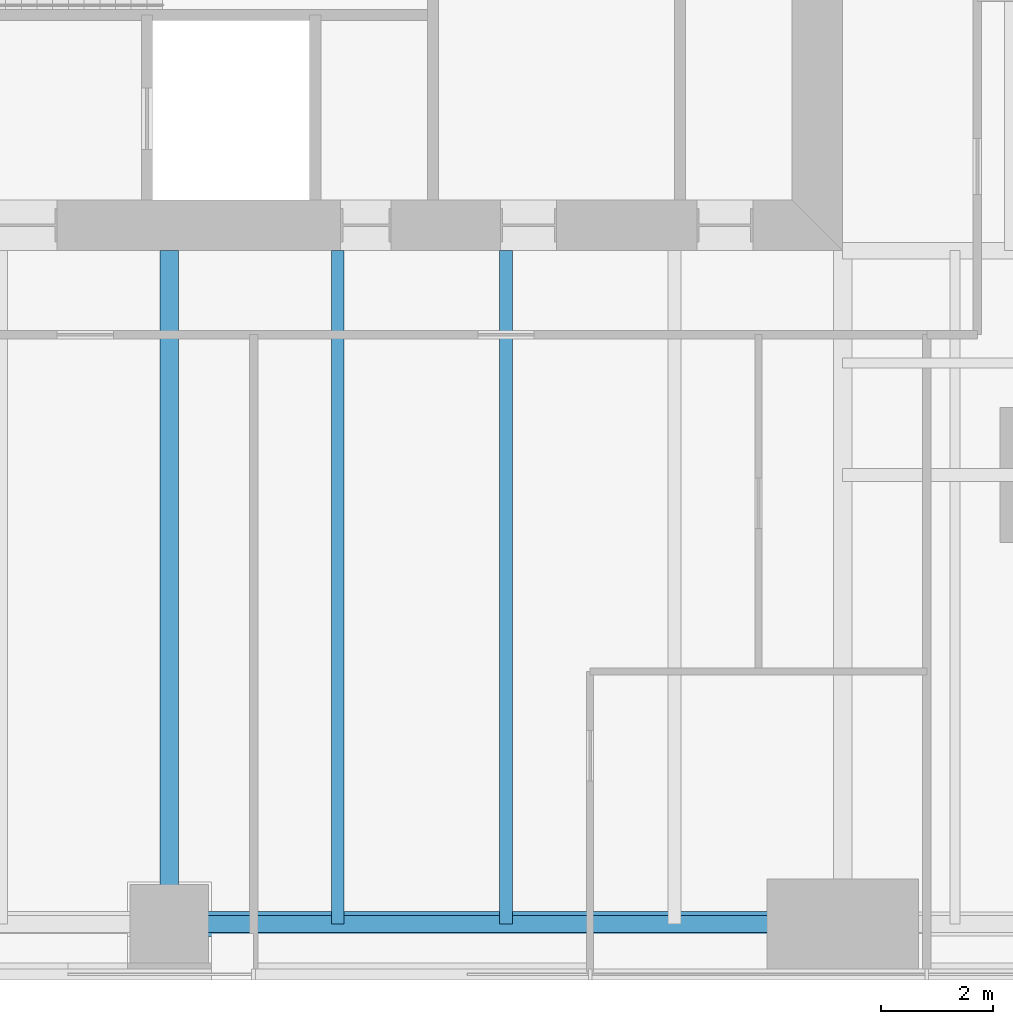
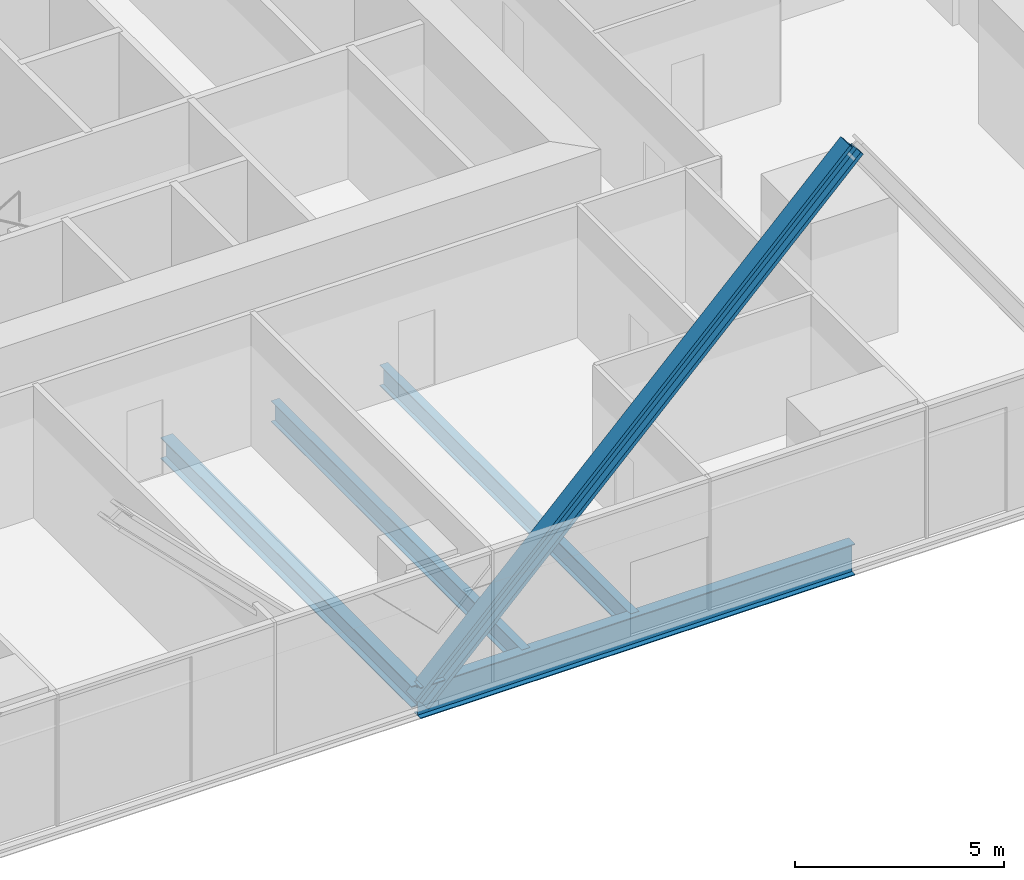
# One storey, part 3 of 13: 4 beams, 1 member.
"""IFC4 building model written with IfcOpenShell, lengths in metres."""

from ifc_helpers import new_model, si_unit, direction, frame, origin, origin_2d, place, context, subcontext, project, spatial, i_section, extrude, material, material_profile, profile_set, type_object, element, save


model = new_model("IFC4")

# Units and contexts
model_context = context("Model", 3, precision=1e-05, world=origin(), true_north=direction((0.0, 1.0)))
body_context = subcontext(model_context, "Body", "Model", "MODEL_VIEW")
ifc_project = project(units=[si_unit("LENGTHUNIT", "METRE"), si_unit("AREAUNIT", "SQUARE_METRE"), si_unit("VOLUMEUNIT", "CUBIC_METRE"), si_unit("PLANEANGLEUNIT", "RADIAN"), si_unit("MASSUNIT", "GRAM", prefix="KILO")], contexts=[model_context])

# Site, building, storey
site_placement = place(None, origin())
site = spatial("IfcSite", under=ifc_project, at=site_placement, CompositionType="ELEMENT")
building_placement = place(site_placement, origin())
building = spatial("IfcBuilding", under=site, at=building_placement, Name="Fenwick Lantern Interchange", CompositionType="ELEMENT")
storey_placement = place(building_placement, frame((0.0, 0.0, 67.0)))
storey = spatial("IfcBuildingStorey", under=building, at=storey_placement, Name="L15", CompositionType="ELEMENT", Elevation=67.0)

# Beam
ifc_material = material(Name="Steel ASTM A992 Grade 50", Category="steel")
ifc_material_profile_1 = material_profile(ifc_material, i_section(OverallWidth=0.3046875, OverallDepth=0.911865234375, WebThickness=0.015869140625, FlangeThickness=0.02392578125, at=origin_2d()), Name="W36X150")
ifc_profile_set_1 = profile_set([ifc_material_profile_1], Name="Steel ASTM A992 Grade 50")
beam_type_1 = type_object("IfcBeamType", Name="EDGE BEAM W36X150", PredefinedType="SPANDREL", material=ifc_profile_set_1)
beam_1_placement = place(storey_placement, frame((25.0, 1.0, -0.60595703125), z_axis=(1.0, 0.0, 0.0), x_axis=(0.0, 1.0, 0.0)))
element("IfcBeam", 1, at=beam_1_placement, inside=storey, type_object=beam_type_1, Name="L15/FR/S/EB3", PredefinedType="SPANDREL", context=body_context, shape_type="SweptSolid", body=[
    extrude(i_section(OverallWidth=0.3046875, OverallDepth=0.911865234375, WebThickness=0.015869140625, FlangeThickness=0.02392578125, at=origin_2d()), origin(), (0.0, 0.0, 1.0), 12.0),
])

# Member
ifc_material_profile_2 = material_profile(ifc_material, i_section(OverallWidth=0.44189453125, OverallDepth=0.53076171875, WebThickness=0.06591796875, FlangeThickness=0.105712890625, at=origin_2d()), Name="W14X605")
ifc_profile_set_2 = profile_set([ifc_material_profile_2], Name="Steel ASTM A992 Grade 50")
member_type = type_object("IfcMemberType", Name="FACADE BRACE W14X605", PredefinedType="BRACE", material=ifc_profile_set_2)
member_placement = place(storey_placement, frame((25.0, 1.0, -0.60595703125), z_axis=(0.707106781187, 0.0, 0.707106781187), x_axis=(0.0, 1.0, 0.0)))
element("IfcMember", 2, at=member_placement, inside=storey, type_object=member_type, Name="L15/FB/S/B", PredefinedType="BRACE", context=body_context, shape_type="SweptSolid", body=[
    extrude(i_section(OverallWidth=0.44189453125, OverallDepth=0.53076171875, WebThickness=0.06591796875, FlangeThickness=0.105712890625, at=origin_2d()), origin(), (0.0, 0.0, 1.0), 16.970458984375),
])

# Beams
ifc_material_profile_3 = material_profile(ifc_material, i_section(OverallWidth=0.22900390625, OverallDepth=0.612060546875, WebThickness=0.011962890625, FlangeThickness=0.01953125, at=origin_2d()), Name="W24X84")
ifc_profile_set_3 = profile_set([ifc_material_profile_3], Name="Steel ASTM A992 Grade 50")
beam_type_2 = type_object("IfcBeamType", Name="FLOOR BEAM W24X84", PredefinedType="BEAM", material=ifc_profile_set_3)
for number, where, z_axis, x_axis, name in (
    (3, (28.0, 1.0, -0.4560546875), (0.0, 1.0, 0.0), (-1.0, 0.0, 0.0), "L15/FR/S/R06"),
    (4, (31.0, 1.0, -0.4560546875), (0.0, 1.0, 0.0), (-1.0, 0.0, 0.0), "L15/FR/S/R07"),
):
    element("IfcBeam", number, at=place(storey_placement, frame(where, z_axis=z_axis, x_axis=x_axis)), inside=storey, type_object=beam_type_2, Name=name, PredefinedType="BEAM", context=body_context, shape_type="SweptSolid", body=[
        extrude(i_section(OverallWidth=0.22900390625, OverallDepth=0.612060546875, WebThickness=0.011962890625, FlangeThickness=0.01953125, at=origin_2d()), origin(), (0.0, 0.0, 1.0), 12.0),
    ])
ifc_material_profile_4 = material_profile(ifc_material, i_section(OverallWidth=0.32763671875, OverallDepth=0.622314453125, WebThickness=0.015380859375, FlangeThickness=0.0244140625, at=origin_2d()), Name="W24X131")
ifc_profile_set_4 = profile_set([ifc_material_profile_4], Name="Steel ASTM A992 Grade 50")
beam_type_3 = type_object("IfcBeamType", Name="MOMENT-CONNECTED GIRDER W24X131", PredefinedType="BEAM", material=ifc_profile_set_4)
beam_2_placement = place(storey_placement, frame((25.0, 1.0, -0.461181640625), z_axis=(0.0, 1.0, 0.0), x_axis=(-1.0, 0.0, 0.0)))
element("IfcBeam", 5, at=beam_2_placement, inside=storey, type_object=beam_type_3, Name="L15/FR/S/R05", PredefinedType="BEAM", context=body_context, shape_type="SweptSolid", body=[
    extrude(i_section(OverallWidth=0.32763671875, OverallDepth=0.622314453125, WebThickness=0.015380859375, FlangeThickness=0.0244140625, at=origin_2d()), origin(), (0.0, 0.0, 1.0), 12.0),
])

save(model, "model.ifc")
